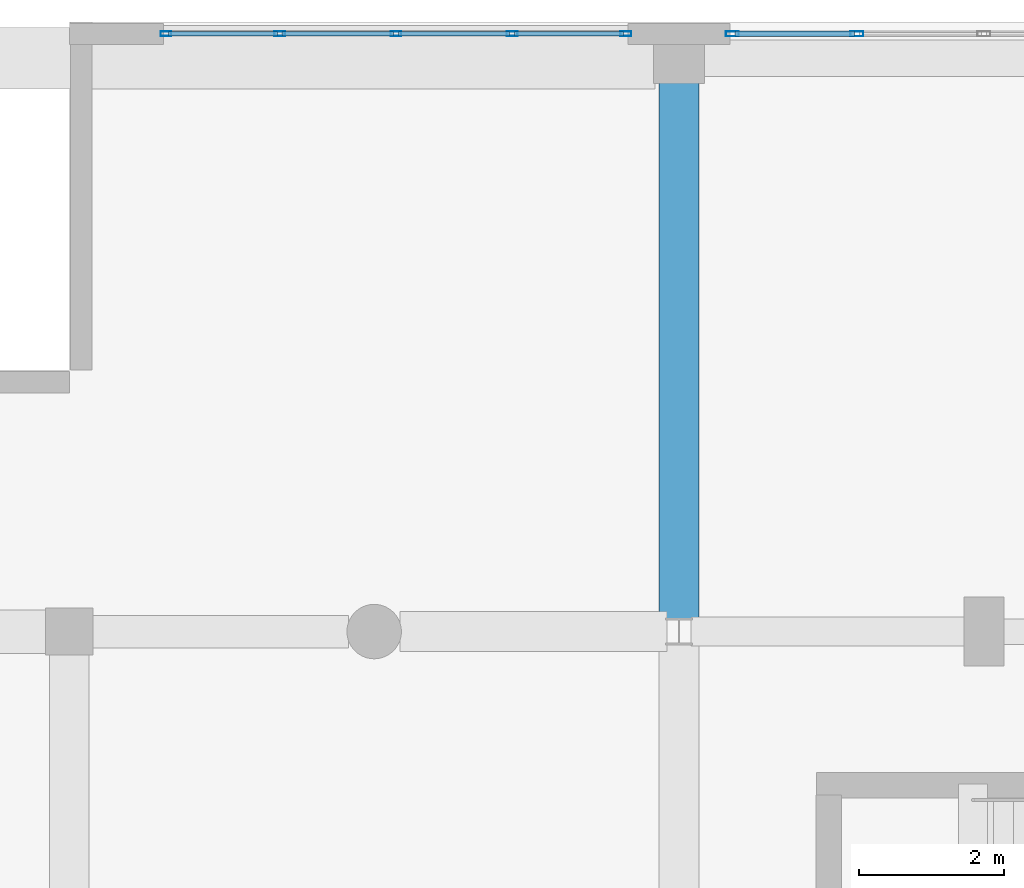
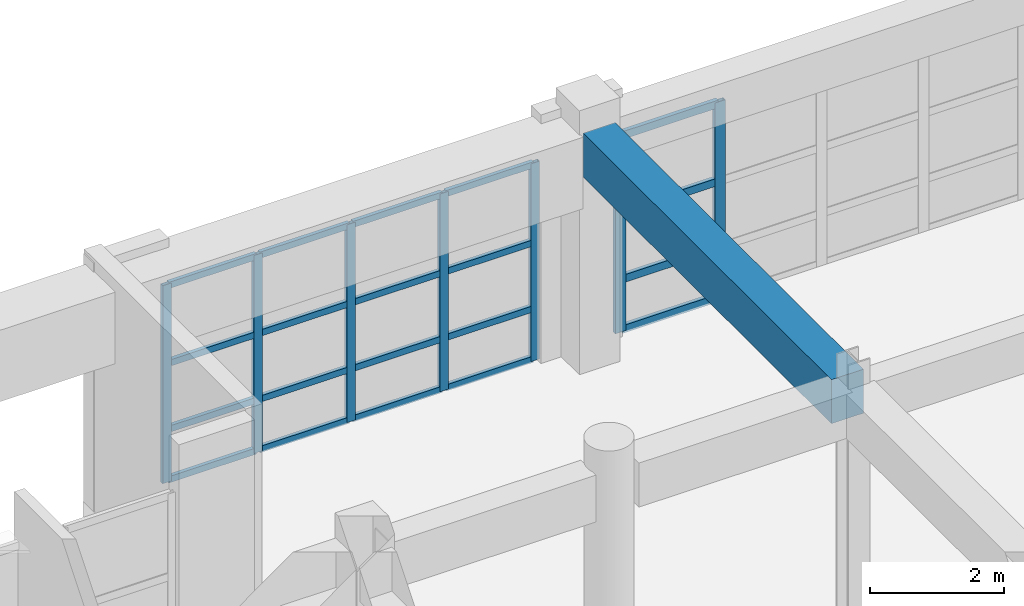
# One storey, part 70 of 123: 27 members, 1 beam, 2 elements without a shape of their own.
"""IFC4 building model written with IfcOpenShell, lengths in metres."""

from ifc_helpers import new_model, si_unit, direction, frame, origin, origin_2d, place, context, subcontext, project, spatial, rectangle, hollow_rectangle, extrude, material, layer, layer_set, material_profile, profile_set, type_object, element, aggregate, save


model = new_model("IFC4")

# Units and contexts
model_context = context("Model", 3, precision=1e-05, world=origin(), true_north=direction((0.0, 1.0)))
body_context = subcontext(model_context, "Body", "Model", "MODEL_VIEW")
ifc_project = project(units=[si_unit("LENGTHUNIT", "METRE"), si_unit("AREAUNIT", "SQUARE_METRE"), si_unit("VOLUMEUNIT", "CUBIC_METRE"), si_unit("PLANEANGLEUNIT", "RADIAN"), si_unit("MASSUNIT", "GRAM", prefix="KILO")], contexts=[model_context])

# Site, building, storey
site_placement = place(None, origin())
site = spatial("IfcSite", under=ifc_project, at=site_placement, CompositionType="ELEMENT")
building_placement = place(site_placement, origin())
building = spatial("IfcBuilding", under=site, at=building_placement, Name="Quendrovan Civic Courthouse", CompositionType="ELEMENT")
storey_placement = place(building_placement, frame((0.0, 0.0, 5.39990234375)))
storey = spatial("IfcBuildingStorey", under=building, at=storey_placement, Name="L02", CompositionType="ELEMENT", Elevation=5.39990234375)

# Beam
ifc_material_1 = material(Name="Concrete C40/50", Category="concrete")
ifc_material_profile_1 = material_profile(ifc_material_1, rectangle(XDim=0.550048828125, YDim=0.800048828125, at=origin_2d()), Name="RC-BM-550x800")
ifc_profile_set_1 = profile_set([ifc_material_profile_1], Name="Concrete C40/50")
beam_type = type_object("IfcBeamType", Name="BM-RC800", PredefinedType="BEAM", material=ifc_profile_set_1)
beam_placement = place(storey_placement, frame((109.199951171875, 102.166015625, 3.960205078125), z_axis=(0.0, 1.0, 0.0), x_axis=(-1.0, 0.0, 0.0)))
element("IfcBeam", 1, at=beam_placement, inside=storey, type_object=beam_type, Name="L02 Girder Y0695", PredefinedType="BEAM", context=body_context, shape_type="SweptSolid", body=[
    extrude(rectangle(XDim=0.550048828125, YDim=0.800048828125, at=origin_2d()), origin(), (0.0, 0.0, 1.0), 7.404052734375),
])

# Curtain wall, members
ifc_material_2 = material(Name="Bronze anodised aluminium and low-E glass", Category="aluminium")
ifc_layer_1 = layer(ifc_material_2, 0.179931640625, Name="Bronze anodised aluminium and low-E glass")
ifc_layer_set_1 = layer_set([ifc_layer_1], Name="Bronze anodised aluminium and low-E glass")
curtain_wall_type_1 = type_object("IfcCurtainWallType", Name="CW-U70x36", PredefinedType="USERDEFINED", material=ifc_layer_set_1)
curtain_wall_1_placement = place(storey_placement, origin())
curtain_wall_1 = element("IfcCurtainWall", 2, at=curtain_wall_1_placement, inside=storey, type_object=curtain_wall_type_1, Name="L02 Unitised Hurricane Curtain Wall CW-090", ObjectType="UNITISED CURTAIN WALL", PredefinedType="USERDEFINED")
ifc_material_3 = material(Name="Bronze anodised aluminium", Category="aluminium")
ifc_material_profile_2 = material_profile(ifc_material_3, hollow_rectangle(XDim=0.070068359375, YDim=0.179931640625, WallThickness=0.00390625, at=origin_2d()), Name="CW-MULL-70x180")
ifc_profile_set_2 = profile_set([ifc_material_profile_2], Name="Bronze anodised aluminium")
member_type_1 = type_object("IfcMemberType", Name="CW-MULL-A", PredefinedType="MULLION", material=ifc_profile_set_2)
member_1_placement = place(storey_placement, frame((109.93505859375, 110.235107421875, 0.0), z_axis=(0.0, 0.0, 1.0), x_axis=(0.0, 1.0, 0.0)))
member_1 = element("IfcMember", 3, at=member_1_placement, type_object=member_type_1, Name="CW-090 mullion 1", PredefinedType="MULLION", context=body_context, shape_type="SweptSolid", body=[
    extrude(hollow_rectangle(XDim=0.070068359375, YDim=0.179931640625, WallThickness=0.00390625, at=origin_2d()), origin(), (0.0, 0.0, 1.0), 3.60009765625),
])
member_2_placement = place(storey_placement, frame((111.64990234375, 110.235107421875, 0.0), z_axis=(0.0, 0.0, 1.0), x_axis=(0.0, 1.0, 0.0)))
member_2 = element("IfcMember", 4, at=member_2_placement, type_object=member_type_1, Name="CW-090 mullion 2", PredefinedType="MULLION", context=body_context, shape_type="SweptSolid", body=[
    extrude(hollow_rectangle(XDim=0.070068359375, YDim=0.179931640625, WallThickness=0.00390625, at=origin_2d()), origin(), (0.0, 0.0, 1.0), 3.60009765625),
])

ifc_layer_2 = layer(ifc_material_2, 0.179931640625, Name="Bronze anodised aluminium and low-E glass")
ifc_layer_set_2 = layer_set([ifc_layer_2], Name="Bronze anodised aluminium and low-E glass")
curtain_wall_type_2 = type_object("IfcCurtainWallType", Name="CW-U64x36", PredefinedType="USERDEFINED", material=ifc_layer_set_2)
curtain_wall_2_placement = place(storey_placement, origin())
curtain_wall_2 = element("IfcCurtainWall", 5, at=curtain_wall_2_placement, inside=storey, type_object=curtain_wall_type_2, Name="L02 Unitised Hurricane Curtain Wall CW-089", ObjectType="UNITISED CURTAIN WALL", PredefinedType="USERDEFINED")
ifc_material_profile_3 = material_profile(ifc_material_3, hollow_rectangle(XDim=0.06494140625, YDim=0.14990234375, WallThickness=0.00390625, at=origin_2d()), Name="CW-MULL-65x150")
ifc_profile_set_3 = profile_set([ifc_material_profile_3], Name="Bronze anodised aluminium")
member_type_2 = type_object("IfcMemberType", Name="CW-MULL-B", PredefinedType="MULLION", material=ifc_profile_set_3)
member_3_placement = place(storey_placement, frame((102.132568359375, 110.235107421875, 0.0), z_axis=(0.0, 0.0, 1.0), x_axis=(0.0, 1.0, 0.0)))
member_3 = element("IfcMember", 6, at=member_3_placement, type_object=member_type_2, Name="CW-089 mullion 1", PredefinedType="MULLION", context=body_context, shape_type="SweptSolid", body=[
    extrude(hollow_rectangle(XDim=0.06494140625, YDim=0.14990234375, WallThickness=0.00390625, at=origin_2d()), origin(), (0.0, 0.0, 1.0), 3.60009765625),
])
member_4_placement = place(storey_placement, frame((103.699951171875, 110.235107421875, 0.0), z_axis=(0.0, 0.0, 1.0), x_axis=(0.0, 1.0, 0.0)))
member_4 = element("IfcMember", 7, at=member_4_placement, type_object=member_type_2, Name="CW-089 mullion 2", PredefinedType="MULLION", context=body_context, shape_type="SweptSolid", body=[
    extrude(hollow_rectangle(XDim=0.06494140625, YDim=0.14990234375, WallThickness=0.00390625, at=origin_2d()), origin(), (0.0, 0.0, 1.0), 3.60009765625),
])
member_5_placement = place(storey_placement, frame((105.300048828125, 110.235107421875, 0.0), z_axis=(0.0, 0.0, 1.0), x_axis=(0.0, 1.0, 0.0)))
member_5 = element("IfcMember", 8, at=member_5_placement, type_object=member_type_2, Name="CW-089 mullion 3", PredefinedType="MULLION", context=body_context, shape_type="SweptSolid", body=[
    extrude(hollow_rectangle(XDim=0.06494140625, YDim=0.14990234375, WallThickness=0.00390625, at=origin_2d()), origin(), (0.0, 0.0, 1.0), 3.60009765625),
])
member_6_placement = place(storey_placement, frame((106.89990234375, 110.235107421875, 0.0), z_axis=(0.0, 0.0, 1.0), x_axis=(0.0, 1.0, 0.0)))
member_6 = element("IfcMember", 9, at=member_6_placement, type_object=member_type_2, Name="CW-089 mullion 4", PredefinedType="MULLION", context=body_context, shape_type="SweptSolid", body=[
    extrude(hollow_rectangle(XDim=0.06494140625, YDim=0.14990234375, WallThickness=0.00390625, at=origin_2d()), origin(), (0.0, 0.0, 1.0), 3.60009765625),
])
member_7_placement = place(storey_placement, frame((108.467529296875, 110.235107421875, 0.0), z_axis=(0.0, 0.0, 1.0), x_axis=(0.0, 1.0, 0.0)))
member_7 = element("IfcMember", 10, at=member_7_placement, type_object=member_type_2, Name="CW-089 mullion 5", PredefinedType="MULLION", context=body_context, shape_type="SweptSolid", body=[
    extrude(hollow_rectangle(XDim=0.06494140625, YDim=0.14990234375, WallThickness=0.00390625, at=origin_2d()), origin(), (0.0, 0.0, 1.0), 3.60009765625),
])

# Member
ifc_material_profile_4 = material_profile(ifc_material_3, hollow_rectangle(XDim=0.070068359375, YDim=0.139892578125, WallThickness=0.00390625, at=origin_2d()), Name="CW-TRAN-70x140")
ifc_profile_set_4 = profile_set([ifc_material_profile_4], Name="Bronze anodised aluminium")
member_type_3 = type_object("IfcMemberType", Name="CW-TRAN-A", PredefinedType="USERDEFINED", material=ifc_profile_set_4)
member_8_placement = place(storey_placement, frame((109.969970703125, 110.235107421875, 0.03515625), z_axis=(1.0, 0.0, 0.0), x_axis=(0.0, 1.0, 0.0)))
member_8 = element("IfcMember", 11, at=member_8_placement, type_object=member_type_3, Name="CW-090 transom 1.1", ObjectType="TRANSOM", PredefinedType="USERDEFINED", context=body_context, shape_type="SweptSolid", body=[
    extrude(hollow_rectangle(XDim=0.070068359375, YDim=0.139892578125, WallThickness=0.00390625, at=origin_2d()), origin(), (0.0, 0.0, 1.0), 1.64501953125),
])

member_9_placement = place(storey_placement, frame((109.969970703125, 110.235107421875, 0.9501953125), z_axis=(1.0, 0.0, 0.0), x_axis=(0.0, 1.0, 0.0)))
member_9 = element("IfcMember", 12, at=member_9_placement, type_object=member_type_3, Name="CW-090 transom 1.2", ObjectType="TRANSOM", PredefinedType="USERDEFINED", context=body_context, shape_type="SweptSolid", body=[
    extrude(hollow_rectangle(XDim=0.070068359375, YDim=0.139892578125, WallThickness=0.00390625, at=origin_2d()), origin(), (0.0, 0.0, 1.0), 1.64501953125),
])

member_10_placement = place(storey_placement, frame((109.969970703125, 110.235107421875, 2.150146484375), z_axis=(1.0, 0.0, 0.0), x_axis=(0.0, 1.0, 0.0)))
member_10 = element("IfcMember", 13, at=member_10_placement, type_object=member_type_3, Name="CW-090 transom 1.3", ObjectType="TRANSOM", PredefinedType="USERDEFINED", context=body_context, shape_type="SweptSolid", body=[
    extrude(hollow_rectangle(XDim=0.070068359375, YDim=0.139892578125, WallThickness=0.00390625, at=origin_2d()), origin(), (0.0, 0.0, 1.0), 1.64501953125),
])

member_11_placement = place(storey_placement, frame((109.969970703125, 110.235107421875, 3.565185546875), z_axis=(1.0, 0.0, 0.0), x_axis=(0.0, 1.0, 0.0)))
member_11 = element("IfcMember", 14, at=member_11_placement, type_object=member_type_3, Name="CW-090 transom 1.4", ObjectType="TRANSOM", PredefinedType="USERDEFINED", context=body_context, shape_type="SweptSolid", body=[
    extrude(hollow_rectangle(XDim=0.070068359375, YDim=0.139892578125, WallThickness=0.00390625, at=origin_2d()), origin(), (0.0, 0.0, 1.0), 1.64501953125),
])

aggregate(curtain_wall_1, [member_1, member_2, member_8, member_9, member_10, member_11])

ifc_material_profile_5 = material_profile(ifc_material_3, hollow_rectangle(XDim=0.06494140625, YDim=0.114990234375, WallThickness=0.00390625, at=origin_2d()), Name="CW-TRAN-65x115")
ifc_profile_set_5 = profile_set([ifc_material_profile_5], Name="Bronze anodised aluminium")
member_type_4 = type_object("IfcMemberType", Name="CW-TRAN-B", PredefinedType="USERDEFINED", material=ifc_profile_set_5)
member_12_placement = place(storey_placement, frame((102.1650390625, 110.235107421875, 0.03271484375), z_axis=(1.0, 0.0, 0.0), x_axis=(0.0, 1.0, 0.0)))
member_12 = element("IfcMember", 15, at=member_12_placement, type_object=member_type_4, Name="CW-089 transom 1.1", ObjectType="TRANSOM", PredefinedType="USERDEFINED", context=body_context, shape_type="SweptSolid", body=[
    extrude(hollow_rectangle(XDim=0.06494140625, YDim=0.114990234375, WallThickness=0.00390625, at=origin_2d()), origin(), (0.0, 0.0, 1.0), 1.50244140625),
])

member_13_placement = place(storey_placement, frame((102.1650390625, 110.235107421875, 0.9501953125), z_axis=(1.0, 0.0, 0.0), x_axis=(0.0, 1.0, 0.0)))
member_13 = element("IfcMember", 16, at=member_13_placement, type_object=member_type_4, Name="CW-089 transom 1.2", ObjectType="TRANSOM", PredefinedType="USERDEFINED", context=body_context, shape_type="SweptSolid", body=[
    extrude(hollow_rectangle(XDim=0.06494140625, YDim=0.114990234375, WallThickness=0.00390625, at=origin_2d()), origin(), (0.0, 0.0, 1.0), 1.50244140625),
])

member_14_placement = place(storey_placement, frame((102.1650390625, 110.235107421875, 2.150146484375), z_axis=(1.0, 0.0, 0.0), x_axis=(0.0, 1.0, 0.0)))
member_14 = element("IfcMember", 17, at=member_14_placement, type_object=member_type_4, Name="CW-089 transom 1.3", ObjectType="TRANSOM", PredefinedType="USERDEFINED", context=body_context, shape_type="SweptSolid", body=[
    extrude(hollow_rectangle(XDim=0.06494140625, YDim=0.114990234375, WallThickness=0.00390625, at=origin_2d()), origin(), (0.0, 0.0, 1.0), 1.50244140625),
])

member_15_placement = place(storey_placement, frame((102.1650390625, 110.235107421875, 3.567626953125), z_axis=(1.0, 0.0, 0.0), x_axis=(0.0, 1.0, 0.0)))
member_15 = element("IfcMember", 18, at=member_15_placement, type_object=member_type_4, Name="CW-089 transom 1.4", ObjectType="TRANSOM", PredefinedType="USERDEFINED", context=body_context, shape_type="SweptSolid", body=[
    extrude(hollow_rectangle(XDim=0.06494140625, YDim=0.114990234375, WallThickness=0.00390625, at=origin_2d()), origin(), (0.0, 0.0, 1.0), 1.50244140625),
])

member_16_placement = place(storey_placement, frame((103.732421875, 110.235107421875, 0.03271484375), z_axis=(1.0, 0.0, 0.0), x_axis=(0.0, 1.0, 0.0)))
member_16 = element("IfcMember", 19, at=member_16_placement, type_object=member_type_4, Name="CW-089 transom 2.1", ObjectType="TRANSOM", PredefinedType="USERDEFINED", context=body_context, shape_type="SweptSolid", body=[
    extrude(hollow_rectangle(XDim=0.06494140625, YDim=0.114990234375, WallThickness=0.00390625, at=origin_2d()), origin(), (0.0, 0.0, 1.0), 1.53515625),
])

member_17_placement = place(storey_placement, frame((103.732421875, 110.235107421875, 0.9501953125), z_axis=(1.0, 0.0, 0.0), x_axis=(0.0, 1.0, 0.0)))
member_17 = element("IfcMember", 20, at=member_17_placement, type_object=member_type_4, Name="CW-089 transom 2.2", ObjectType="TRANSOM", PredefinedType="USERDEFINED", context=body_context, shape_type="SweptSolid", body=[
    extrude(hollow_rectangle(XDim=0.06494140625, YDim=0.114990234375, WallThickness=0.00390625, at=origin_2d()), origin(), (0.0, 0.0, 1.0), 1.53515625),
])

member_18_placement = place(storey_placement, frame((103.732421875, 110.235107421875, 2.150146484375), z_axis=(1.0, 0.0, 0.0), x_axis=(0.0, 1.0, 0.0)))
member_18 = element("IfcMember", 21, at=member_18_placement, type_object=member_type_4, Name="CW-089 transom 2.3", ObjectType="TRANSOM", PredefinedType="USERDEFINED", context=body_context, shape_type="SweptSolid", body=[
    extrude(hollow_rectangle(XDim=0.06494140625, YDim=0.114990234375, WallThickness=0.00390625, at=origin_2d()), origin(), (0.0, 0.0, 1.0), 1.53515625),
])

member_19_placement = place(storey_placement, frame((103.732421875, 110.235107421875, 3.567626953125), z_axis=(1.0, 0.0, 0.0), x_axis=(0.0, 1.0, 0.0)))
member_19 = element("IfcMember", 22, at=member_19_placement, type_object=member_type_4, Name="CW-089 transom 2.4", ObjectType="TRANSOM", PredefinedType="USERDEFINED", context=body_context, shape_type="SweptSolid", body=[
    extrude(hollow_rectangle(XDim=0.06494140625, YDim=0.114990234375, WallThickness=0.00390625, at=origin_2d()), origin(), (0.0, 0.0, 1.0), 1.53515625),
])

member_20_placement = place(storey_placement, frame((105.33251953125, 110.235107421875, 0.03271484375), z_axis=(1.0, 0.0, 0.0), x_axis=(0.0, 1.0, 0.0)))
member_20 = element("IfcMember", 23, at=member_20_placement, type_object=member_type_4, Name="CW-089 transom 3.1", ObjectType="TRANSOM", PredefinedType="USERDEFINED", context=body_context, shape_type="SweptSolid", body=[
    extrude(hollow_rectangle(XDim=0.06494140625, YDim=0.114990234375, WallThickness=0.00390625, at=origin_2d()), origin(), (0.0, 0.0, 1.0), 1.534912109375),
])

member_21_placement = place(storey_placement, frame((105.33251953125, 110.235107421875, 0.9501953125), z_axis=(1.0, 0.0, 0.0), x_axis=(0.0, 1.0, 0.0)))
member_21 = element("IfcMember", 24, at=member_21_placement, type_object=member_type_4, Name="CW-089 transom 3.2", ObjectType="TRANSOM", PredefinedType="USERDEFINED", context=body_context, shape_type="SweptSolid", body=[
    extrude(hollow_rectangle(XDim=0.06494140625, YDim=0.114990234375, WallThickness=0.00390625, at=origin_2d()), origin(), (0.0, 0.0, 1.0), 1.534912109375),
])

member_22_placement = place(storey_placement, frame((105.33251953125, 110.235107421875, 2.150146484375), z_axis=(1.0, 0.0, 0.0), x_axis=(0.0, 1.0, 0.0)))
member_22 = element("IfcMember", 25, at=member_22_placement, type_object=member_type_4, Name="CW-089 transom 3.3", ObjectType="TRANSOM", PredefinedType="USERDEFINED", context=body_context, shape_type="SweptSolid", body=[
    extrude(hollow_rectangle(XDim=0.06494140625, YDim=0.114990234375, WallThickness=0.00390625, at=origin_2d()), origin(), (0.0, 0.0, 1.0), 1.534912109375),
])

member_23_placement = place(storey_placement, frame((105.33251953125, 110.235107421875, 3.567626953125), z_axis=(1.0, 0.0, 0.0), x_axis=(0.0, 1.0, 0.0)))
member_23 = element("IfcMember", 26, at=member_23_placement, type_object=member_type_4, Name="CW-089 transom 3.4", ObjectType="TRANSOM", PredefinedType="USERDEFINED", context=body_context, shape_type="SweptSolid", body=[
    extrude(hollow_rectangle(XDim=0.06494140625, YDim=0.114990234375, WallThickness=0.00390625, at=origin_2d()), origin(), (0.0, 0.0, 1.0), 1.534912109375),
])

member_24_placement = place(storey_placement, frame((106.9326171875, 110.235107421875, 0.03271484375), z_axis=(1.0, 0.0, 0.0), x_axis=(0.0, 1.0, 0.0)))
member_24 = element("IfcMember", 27, at=member_24_placement, type_object=member_type_4, Name="CW-089 transom 4.1", ObjectType="TRANSOM", PredefinedType="USERDEFINED", context=body_context, shape_type="SweptSolid", body=[
    extrude(hollow_rectangle(XDim=0.06494140625, YDim=0.114990234375, WallThickness=0.00390625, at=origin_2d()), origin(), (0.0, 0.0, 1.0), 1.50244140625),
])

member_25_placement = place(storey_placement, frame((106.9326171875, 110.235107421875, 0.9501953125), z_axis=(1.0, 0.0, 0.0), x_axis=(0.0, 1.0, 0.0)))
member_25 = element("IfcMember", 28, at=member_25_placement, type_object=member_type_4, Name="CW-089 transom 4.2", ObjectType="TRANSOM", PredefinedType="USERDEFINED", context=body_context, shape_type="SweptSolid", body=[
    extrude(hollow_rectangle(XDim=0.06494140625, YDim=0.114990234375, WallThickness=0.00390625, at=origin_2d()), origin(), (0.0, 0.0, 1.0), 1.50244140625),
])

member_26_placement = place(storey_placement, frame((106.9326171875, 110.235107421875, 2.150146484375), z_axis=(1.0, 0.0, 0.0), x_axis=(0.0, 1.0, 0.0)))
member_26 = element("IfcMember", 29, at=member_26_placement, type_object=member_type_4, Name="CW-089 transom 4.3", ObjectType="TRANSOM", PredefinedType="USERDEFINED", context=body_context, shape_type="SweptSolid", body=[
    extrude(hollow_rectangle(XDim=0.06494140625, YDim=0.114990234375, WallThickness=0.00390625, at=origin_2d()), origin(), (0.0, 0.0, 1.0), 1.50244140625),
])

member_27_placement = place(storey_placement, frame((106.9326171875, 110.235107421875, 3.567626953125), z_axis=(1.0, 0.0, 0.0), x_axis=(0.0, 1.0, 0.0)))
member_27 = element("IfcMember", 30, at=member_27_placement, type_object=member_type_4, Name="CW-089 transom 4.4", ObjectType="TRANSOM", PredefinedType="USERDEFINED", context=body_context, shape_type="SweptSolid", body=[
    extrude(hollow_rectangle(XDim=0.06494140625, YDim=0.114990234375, WallThickness=0.00390625, at=origin_2d()), origin(), (0.0, 0.0, 1.0), 1.50244140625),
])

aggregate(curtain_wall_2, [member_3, member_4, member_5, member_6, member_7, member_12, member_13, member_14, member_15, member_16, member_17, member_18, member_19, member_20, member_21, member_22, member_23, member_24, member_25, member_26, member_27])

save(model, "model.ifc")
